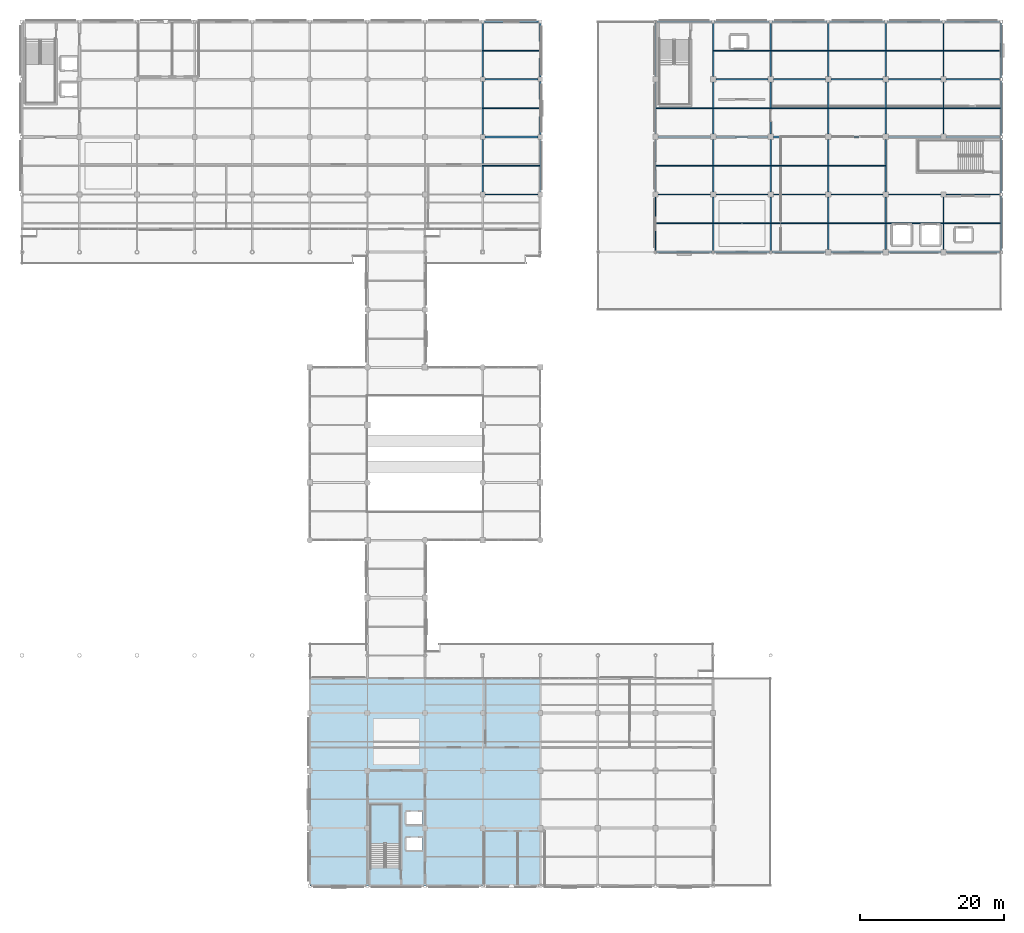
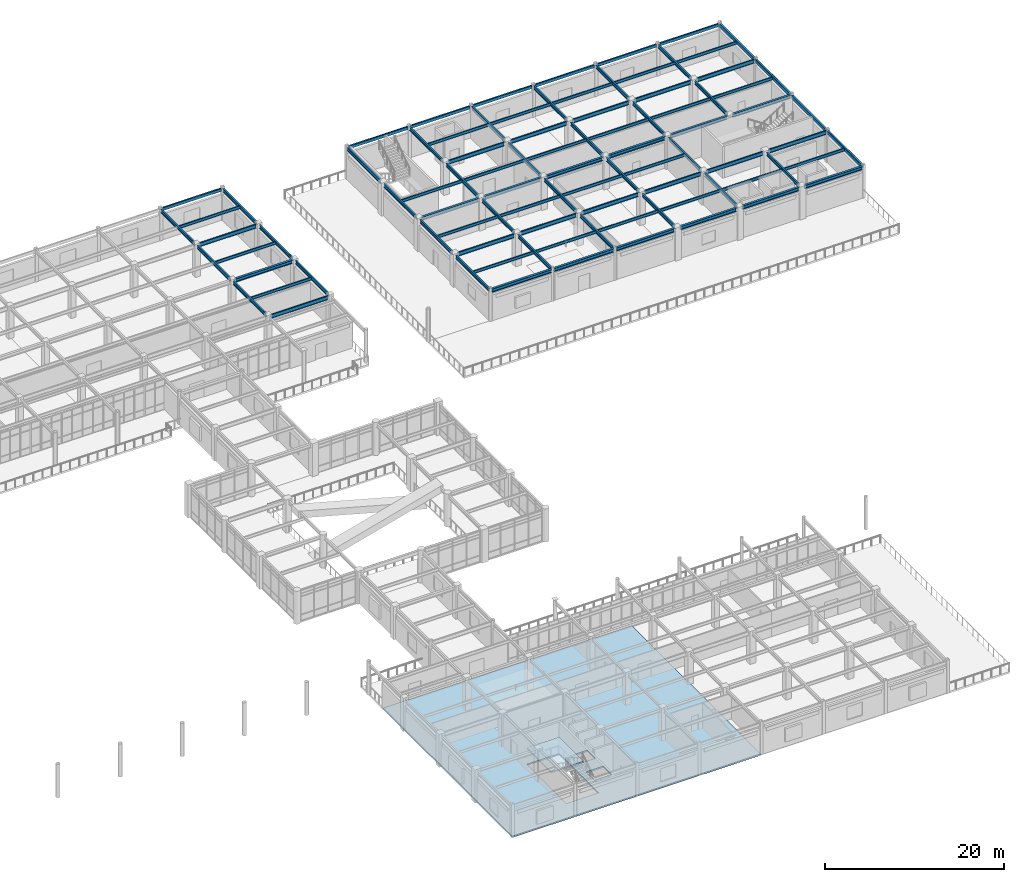
# One storey, part 47 of 75: 90 beams, 2 slabs, 1 element without a shape of its own.
"""IFC4 building model written with IfcOpenShell, lengths in metres."""

from ifc_helpers import new_model, si_unit, direction, frame, origin, origin_2d, place, context, subcontext, project, spatial, polyline, hollow_rectangle, i_section, outline, extrude, material, layer, layer_set, material_profile, profile_set, type_object, element, aggregate, save


model = new_model("IFC4")

# Units and contexts
model_context = context("Model", 3, precision=1e-05, world=origin(), true_north=direction((0.0, 1.0)))
body_context = subcontext(model_context, "Body", "Model", "MODEL_VIEW")
ifc_project = project(units=[si_unit("LENGTHUNIT", "METRE"), si_unit("AREAUNIT", "SQUARE_METRE"), si_unit("VOLUMEUNIT", "CUBIC_METRE"), si_unit("PLANEANGLEUNIT", "RADIAN"), si_unit("MASSUNIT", "GRAM", prefix="KILO")], contexts=[model_context])

# Site, building, storey
site_placement = place(None, origin())
site = spatial("IfcSite", under=ifc_project, at=site_placement, CompositionType="ELEMENT")
building_placement = place(site_placement, origin())
building = spatial("IfcBuilding", under=site, at=building_placement, Name="Solmirada Galleria", CompositionType="ELEMENT")
storey_placement = place(building_placement, frame((0.0, 0.0, 19.39990234375)))
storey = spatial("IfcBuildingStorey", under=building, at=storey_placement, Name="L04", CompositionType="ELEMENT", Elevation=19.39990234375)

# Beams
ifc_material_1 = material(Name="Steel S355 / ASTM A992 Grade 50", Category="steel")
ifc_material_profile_1 = material_profile(ifc_material_1, i_section(OverallWidth=0.281982421875, OverallDepth=0.467041015625, WebThickness=0.01220703125, FlangeThickness=0.01953125, FilletRadius=0.013916015625, at=origin_2d()), Name="W18X86")
ifc_profile_set_1 = profile_set([ifc_material_profile_1], Name="Steel S355 / ASTM A992 Grade 50")
beam_type_1 = type_object("IfcBeamType", Name="BM-GIRD-W18A", PredefinedType="BEAM", material=ifc_profile_set_1)
beam_1_placement = place(storey_placement, frame((104.324951171875, 104.0, 4.066650390625), z_axis=(1.0, 0.0, 0.0), x_axis=(0.0, 1.0, 0.0)))
element("IfcBeam", 1, at=beam_1_placement, inside=storey, type_object=beam_type_1, Name="Primary beam L05 X(104..112, 104)", PredefinedType="BEAM", context=body_context, shape_type="SweptSolid", body=[
    extrude(i_section(OverallWidth=0.281982421875, OverallDepth=0.467041015625, WebThickness=0.01220703125, FlangeThickness=0.01953125, FilletRadius=0.013916015625, at=origin_2d()), origin(), (0.0, 0.0, 1.0), 7.35009765625),
])
beam_2_placement = place(storey_placement, frame((128.17041015625, 88.0, 4.066650390625), z_axis=(1.0, 0.0, 0.0), x_axis=(0.0, 1.0, 0.0)))
element("IfcBeam", 2, at=beam_2_placement, inside=storey, type_object=beam_type_1, Name="Primary beam L05 X(128..136, 88)", PredefinedType="BEAM", context=body_context, shape_type="SweptSolid", body=[
    extrude(i_section(OverallWidth=0.281982421875, OverallDepth=0.467041015625, WebThickness=0.01220703125, FlangeThickness=0.01953125, FilletRadius=0.013916015625, at=origin_2d()), origin(), (0.0, 0.0, 1.0), 7.6591796875),
])
beam_3_placement = place(storey_placement, frame((128.375, 104.0, 4.066650390625), z_axis=(1.0, 0.0, 0.0), x_axis=(0.0, 1.0, 0.0)))
element("IfcBeam", 3, at=beam_3_placement, inside=storey, type_object=beam_type_1, Name="Primary beam L05 X(128..136, 104)", PredefinedType="BEAM", context=body_context, shape_type="SweptSolid", body=[
    extrude(i_section(OverallWidth=0.281982421875, OverallDepth=0.467041015625, WebThickness=0.01220703125, FlangeThickness=0.01953125, FilletRadius=0.013916015625, at=origin_2d()), origin(), (0.0, 0.0, 1.0), 7.25),
])
beam_4_placement = place(storey_placement, frame((136.17041015625, 88.0, 4.066650390625), z_axis=(1.0, 0.0, 0.0), x_axis=(0.0, 1.0, 0.0)))
element("IfcBeam", 4, at=beam_4_placement, inside=storey, type_object=beam_type_1, Name="Primary beam L05 X(136..144, 88)", PredefinedType="BEAM", context=body_context, shape_type="SweptSolid", body=[
    extrude(i_section(OverallWidth=0.281982421875, OverallDepth=0.467041015625, WebThickness=0.01220703125, FlangeThickness=0.01953125, FilletRadius=0.013916015625, at=origin_2d()), origin(), (0.0, 0.0, 1.0), 7.6591796875),
])
beam_5_placement = place(storey_placement, frame((136.375, 104.0, 4.066650390625), z_axis=(1.0, 0.0, 0.0), x_axis=(0.0, 1.0, 0.0)))
element("IfcBeam", 5, at=beam_5_placement, inside=storey, type_object=beam_type_1, Name="Primary beam L05 X(136..144, 104)", PredefinedType="BEAM", context=body_context, shape_type="SweptSolid", body=[
    extrude(i_section(OverallWidth=0.281982421875, OverallDepth=0.467041015625, WebThickness=0.01220703125, FlangeThickness=0.01953125, FilletRadius=0.013916015625, at=origin_2d()), origin(), (0.0, 0.0, 1.0), 7.25),
])
beam_6_placement = place(storey_placement, frame((144.17041015625, 88.0, 4.066650390625), z_axis=(1.0, 0.0, 0.0), x_axis=(0.0, 1.0, 0.0)))
element("IfcBeam", 6, at=beam_6_placement, inside=storey, type_object=beam_type_1, Name="Primary beam L05 X(144..152, 88)", PredefinedType="BEAM", context=body_context, shape_type="SweptSolid", body=[
    extrude(i_section(OverallWidth=0.281982421875, OverallDepth=0.467041015625, WebThickness=0.01220703125, FlangeThickness=0.01953125, FilletRadius=0.013916015625, at=origin_2d()), origin(), (0.0, 0.0, 1.0), 7.45458984375),
])
for number, where, z_axis, x_axis, name in (
    (7, (144.375, 104.0, 4.066650390625), (1.0, 0.0, 0.0), (0.0, 1.0, 0.0), "Primary beam L05 X(144..152, 104)"),
    (8, (152.375, 88.0, 4.066650390625), (1.0, 0.0, 0.0), (0.0, 1.0, 0.0), "Primary beam L05 X(152..160, 88)"),
    (9, (152.375, 104.0, 4.066650390625), (1.0, 0.0, 0.0), (0.0, 1.0, 0.0), "Primary beam L05 X(152..160, 104)"),
    (10, (160.375, 88.0, 4.066650390625), (1.0, 0.0, 0.0), (0.0, 1.0, 0.0), "Primary beam L05 X(160..168, 88)"),
    (11, (160.375, 104.0, 4.066650390625), (1.0, 0.0, 0.0), (0.0, 1.0, 0.0), "Primary beam L05 X(160..168, 104)"),
):
    element("IfcBeam", number, at=place(storey_placement, frame(where, z_axis=z_axis, x_axis=x_axis)), inside=storey, type_object=beam_type_1, Name=name, PredefinedType="BEAM", context=body_context, shape_type="SweptSolid", body=[
        extrude(i_section(OverallWidth=0.281982421875, OverallDepth=0.467041015625, WebThickness=0.01220703125, FlangeThickness=0.01953125, FilletRadius=0.013916015625, at=origin_2d()), origin(), (0.0, 0.0, 1.0), 7.25),
    ])
for number, where, z_axis, x_axis, name in (
    (12, (168.375, 88.0, 4.066650390625), (1.0, 0.0, 0.0), (0.0, 1.0, 0.0), "Primary beam L05 X(168..176, 88)"),
    (13, (168.375, 104.0, 4.066650390625), (1.0, 0.0, 0.0), (0.0, 1.0, 0.0), "Primary beam L05 X(168..176, 104)"),
):
    element("IfcBeam", number, at=place(storey_placement, frame(where, z_axis=z_axis, x_axis=x_axis)), inside=storey, type_object=beam_type_1, Name=name, PredefinedType="BEAM", context=body_context, shape_type="SweptSolid", body=[
        extrude(i_section(OverallWidth=0.281982421875, OverallDepth=0.467041015625, WebThickness=0.01220703125, FlangeThickness=0.01953125, FilletRadius=0.013916015625, at=origin_2d()), origin(), (0.0, 0.0, 1.0), 7.422119140625),
    ])
ifc_material_profile_2 = material_profile(ifc_material_1, i_section(OverallWidth=0.193115234375, OverallDepth=0.466064453125, WebThickness=0.011474609375, FlangeThickness=0.01904296875, FilletRadius=0.013916015625, at=origin_2d()), Name="W18X65")
ifc_profile_set_2 = profile_set([ifc_material_profile_2], Name="Steel S355 / ASTM A992 Grade 50")
beam_type_2 = type_object("IfcBeamType", Name="BM-GIRD-W18C", PredefinedType="BEAM", material=ifc_profile_set_2)
for number, where, z_axis, x_axis, name in (
    (14, (104.0, 96.324951171875, 4.067138671875), (0.0, 1.0, 0.0), (-1.0, 0.0, 0.0), "Primary girder L05 Y(104, 96..104)"),
    (15, (104.0, 104.324951171875, 4.067138671875), (0.0, 1.0, 0.0), (-1.0, 0.0, 0.0), "Primary girder L05 Y(104, 104..112)"),
):
    element("IfcBeam", number, at=place(storey_placement, frame(where, z_axis=z_axis, x_axis=x_axis)), inside=storey, type_object=beam_type_2, Name=name, PredefinedType="BEAM", context=body_context, shape_type="SweptSolid", body=[
        extrude(i_section(OverallWidth=0.193115234375, OverallDepth=0.466064453125, WebThickness=0.011474609375, FlangeThickness=0.01904296875, FilletRadius=0.013916015625, at=origin_2d()), origin(), (0.0, 0.0, 1.0), 7.35009765625),
    ])
beam_7_placement = place(storey_placement, frame((104.0, 112.324951171875, 4.067138671875), z_axis=(0.0, 1.0, 0.0), x_axis=(-1.0, 0.0, 0.0)))
element("IfcBeam", 16, at=beam_7_placement, inside=storey, type_object=beam_type_2, Name="Primary girder L05 Y(104, 112..120)", PredefinedType="BEAM", context=body_context, shape_type="SweptSolid", body=[
    extrude(i_section(OverallWidth=0.193115234375, OverallDepth=0.466064453125, WebThickness=0.011474609375, FlangeThickness=0.01904296875, FilletRadius=0.013916015625, at=origin_2d()), origin(), (0.0, 0.0, 1.0), 7.47216796875),
])
for number, where, z_axis, x_axis, name in (
    (17, (112.0, 96.324951171875, 4.067138671875), (0.0, 1.0, 0.0), (-1.0, 0.0, 0.0), "Primary girder L05 Y(112, 96..104)"),
    (18, (112.0, 104.324951171875, 4.067138671875), (0.0, 1.0, 0.0), (-1.0, 0.0, 0.0), "Primary girder L05 Y(112, 104..112)"),
):
    element("IfcBeam", number, at=place(storey_placement, frame(where, z_axis=z_axis, x_axis=x_axis)), inside=storey, type_object=beam_type_2, Name=name, PredefinedType="BEAM", context=body_context, shape_type="SweptSolid", body=[
        extrude(i_section(OverallWidth=0.193115234375, OverallDepth=0.466064453125, WebThickness=0.011474609375, FlangeThickness=0.01904296875, FilletRadius=0.013916015625, at=origin_2d()), origin(), (0.0, 0.0, 1.0), 7.35009765625),
    ])
beam_8_placement = place(storey_placement, frame((112.0, 112.324951171875, 4.067138671875), z_axis=(0.0, 1.0, 0.0), x_axis=(-1.0, 0.0, 0.0)))
element("IfcBeam", 19, at=beam_8_placement, inside=storey, type_object=beam_type_2, Name="Primary girder L05 Y(112, 112..120)", PredefinedType="BEAM", context=body_context, shape_type="SweptSolid", body=[
    extrude(i_section(OverallWidth=0.193115234375, OverallDepth=0.466064453125, WebThickness=0.011474609375, FlangeThickness=0.01904296875, FilletRadius=0.013916015625, at=origin_2d()), origin(), (0.0, 0.0, 1.0), 7.47216796875),
])
beam_9_placement = place(storey_placement, frame((128.0, 88.17041015625, 4.067138671875), z_axis=(0.0, 1.0, 0.0), x_axis=(-1.0, 0.0, 0.0)))
element("IfcBeam", 20, at=beam_9_placement, inside=storey, type_object=beam_type_2, Name="Primary girder L05 Y(128, 88..96)", PredefinedType="BEAM", context=body_context, shape_type="SweptSolid", body=[
    extrude(i_section(OverallWidth=0.193115234375, OverallDepth=0.466064453125, WebThickness=0.011474609375, FlangeThickness=0.01904296875, FilletRadius=0.013916015625, at=origin_2d()), origin(), (0.0, 0.0, 1.0), 7.45458984375),
])
for number, where, z_axis, x_axis, name in (
    (21, (128.0, 96.375, 4.067138671875), (0.0, 1.0, 0.0), (-1.0, 0.0, 0.0), "Primary girder L05 Y(128, 96..104)"),
    (22, (128.0, 104.375, 4.067138671875), (0.0, 1.0, 0.0), (-1.0, 0.0, 0.0), "Primary girder L05 Y(128, 104..112)"),
):
    element("IfcBeam", number, at=place(storey_placement, frame(where, z_axis=z_axis, x_axis=x_axis)), inside=storey, type_object=beam_type_2, Name=name, PredefinedType="BEAM", context=body_context, shape_type="SweptSolid", body=[
        extrude(i_section(OverallWidth=0.193115234375, OverallDepth=0.466064453125, WebThickness=0.011474609375, FlangeThickness=0.01904296875, FilletRadius=0.013916015625, at=origin_2d()), origin(), (0.0, 0.0, 1.0), 7.25),
    ])
beam_10_placement = place(storey_placement, frame((128.0, 112.375, 4.067138671875), z_axis=(0.0, 1.0, 0.0), x_axis=(-1.0, 0.0, 0.0)))
element("IfcBeam", 23, at=beam_10_placement, inside=storey, type_object=beam_type_2, Name="Primary girder L05 Y(128, 112..120)", PredefinedType="BEAM", context=body_context, shape_type="SweptSolid", body=[
    extrude(i_section(OverallWidth=0.193115234375, OverallDepth=0.466064453125, WebThickness=0.011474609375, FlangeThickness=0.01904296875, FilletRadius=0.013916015625, at=origin_2d()), origin(), (0.0, 0.0, 1.0), 7.422119140625),
])
beam_11_placement = place(storey_placement, frame((136.0, 88.17041015625, 4.067138671875), z_axis=(0.0, 1.0, 0.0), x_axis=(-1.0, 0.0, 0.0)))
element("IfcBeam", 24, at=beam_11_placement, inside=storey, type_object=beam_type_2, Name="Primary girder L05 Y(136, 88..96)", PredefinedType="BEAM", context=body_context, shape_type="SweptSolid", body=[
    extrude(i_section(OverallWidth=0.193115234375, OverallDepth=0.466064453125, WebThickness=0.011474609375, FlangeThickness=0.01904296875, FilletRadius=0.013916015625, at=origin_2d()), origin(), (0.0, 0.0, 1.0), 7.45458984375),
])
for number, where, z_axis, x_axis, name in (
    (25, (136.0, 96.375, 4.067138671875), (0.0, 1.0, 0.0), (-1.0, 0.0, 0.0), "Primary girder L05 Y(136, 96..104)"),
    (26, (136.0, 104.375, 4.067138671875), (0.0, 1.0, 0.0), (-1.0, 0.0, 0.0), "Primary girder L05 Y(136, 104..112)"),
):
    element("IfcBeam", number, at=place(storey_placement, frame(where, z_axis=z_axis, x_axis=x_axis)), inside=storey, type_object=beam_type_2, Name=name, PredefinedType="BEAM", context=body_context, shape_type="SweptSolid", body=[
        extrude(i_section(OverallWidth=0.193115234375, OverallDepth=0.466064453125, WebThickness=0.011474609375, FlangeThickness=0.01904296875, FilletRadius=0.013916015625, at=origin_2d()), origin(), (0.0, 0.0, 1.0), 7.25),
    ])
beam_12_placement = place(storey_placement, frame((136.0, 112.375, 4.067138671875), z_axis=(0.0, 1.0, 0.0), x_axis=(-1.0, 0.0, 0.0)))
element("IfcBeam", 27, at=beam_12_placement, inside=storey, type_object=beam_type_2, Name="Primary girder L05 Y(136, 112..120)", PredefinedType="BEAM", context=body_context, shape_type="SweptSolid", body=[
    extrude(i_section(OverallWidth=0.193115234375, OverallDepth=0.466064453125, WebThickness=0.011474609375, FlangeThickness=0.01904296875, FilletRadius=0.013916015625, at=origin_2d()), origin(), (0.0, 0.0, 1.0), 7.422119140625),
])
beam_13_placement = place(storey_placement, frame((144.0, 88.17041015625, 4.067138671875), z_axis=(0.0, 1.0, 0.0), x_axis=(-1.0, 0.0, 0.0)))
element("IfcBeam", 28, at=beam_13_placement, inside=storey, type_object=beam_type_2, Name="Primary girder L05 Y(144, 88..96)", PredefinedType="BEAM", context=body_context, shape_type="SweptSolid", body=[
    extrude(i_section(OverallWidth=0.193115234375, OverallDepth=0.466064453125, WebThickness=0.011474609375, FlangeThickness=0.01904296875, FilletRadius=0.013916015625, at=origin_2d()), origin(), (0.0, 0.0, 1.0), 7.45458984375),
])
for number, where, z_axis, x_axis, name in (
    (29, (144.0, 96.375, 4.067138671875), (0.0, 1.0, 0.0), (-1.0, 0.0, 0.0), "Primary girder L05 Y(144, 96..104)"),
    (30, (144.0, 104.375, 4.067138671875), (0.0, 1.0, 0.0), (-1.0, 0.0, 0.0), "Primary girder L05 Y(144, 104..112)"),
):
    element("IfcBeam", number, at=place(storey_placement, frame(where, z_axis=z_axis, x_axis=x_axis)), inside=storey, type_object=beam_type_2, Name=name, PredefinedType="BEAM", context=body_context, shape_type="SweptSolid", body=[
        extrude(i_section(OverallWidth=0.193115234375, OverallDepth=0.466064453125, WebThickness=0.011474609375, FlangeThickness=0.01904296875, FilletRadius=0.013916015625, at=origin_2d()), origin(), (0.0, 0.0, 1.0), 7.25),
    ])
beam_14_placement = place(storey_placement, frame((144.0, 112.375, 4.067138671875), z_axis=(0.0, 1.0, 0.0), x_axis=(-1.0, 0.0, 0.0)))
element("IfcBeam", 31, at=beam_14_placement, inside=storey, type_object=beam_type_2, Name="Primary girder L05 Y(144, 112..120)", PredefinedType="BEAM", context=body_context, shape_type="SweptSolid", body=[
    extrude(i_section(OverallWidth=0.193115234375, OverallDepth=0.466064453125, WebThickness=0.011474609375, FlangeThickness=0.01904296875, FilletRadius=0.013916015625, at=origin_2d()), origin(), (0.0, 0.0, 1.0), 7.422119140625),
])
for number, where, z_axis, x_axis, name in (
    (32, (152.0, 88.375, 4.067138671875), (0.0, 1.0, 0.0), (-1.0, 0.0, 0.0), "Primary girder L05 Y(152, 88..96)"),
    (33, (152.0, 96.375, 4.067138671875), (0.0, 1.0, 0.0), (-1.0, 0.0, 0.0), "Primary girder L05 Y(152, 96..104)"),
    (34, (152.0, 104.375, 4.067138671875), (0.0, 1.0, 0.0), (-1.0, 0.0, 0.0), "Primary girder L05 Y(152, 104..112)"),
):
    element("IfcBeam", number, at=place(storey_placement, frame(where, z_axis=z_axis, x_axis=x_axis)), inside=storey, type_object=beam_type_2, Name=name, PredefinedType="BEAM", context=body_context, shape_type="SweptSolid", body=[
        extrude(i_section(OverallWidth=0.193115234375, OverallDepth=0.466064453125, WebThickness=0.011474609375, FlangeThickness=0.01904296875, FilletRadius=0.013916015625, at=origin_2d()), origin(), (0.0, 0.0, 1.0), 7.25),
    ])
beam_15_placement = place(storey_placement, frame((152.0, 112.375, 4.067138671875), z_axis=(0.0, 1.0, 0.0), x_axis=(-1.0, 0.0, 0.0)))
element("IfcBeam", 35, at=beam_15_placement, inside=storey, type_object=beam_type_2, Name="Primary girder L05 Y(152, 112..120)", PredefinedType="BEAM", context=body_context, shape_type="SweptSolid", body=[
    extrude(i_section(OverallWidth=0.193115234375, OverallDepth=0.466064453125, WebThickness=0.011474609375, FlangeThickness=0.01904296875, FilletRadius=0.013916015625, at=origin_2d()), origin(), (0.0, 0.0, 1.0), 7.422119140625),
])
for number, where, z_axis, x_axis, name in (
    (36, (160.0, 88.375, 4.067138671875), (0.0, 1.0, 0.0), (-1.0, 0.0, 0.0), "Primary girder L05 Y(160, 88..96)"),
    (37, (160.0, 96.375, 4.067138671875), (0.0, 1.0, 0.0), (-1.0, 0.0, 0.0), "Primary girder L05 Y(160, 96..104)"),
    (38, (160.0, 104.375, 4.067138671875), (0.0, 1.0, 0.0), (-1.0, 0.0, 0.0), "Primary girder L05 Y(160, 104..112)"),
):
    element("IfcBeam", number, at=place(storey_placement, frame(where, z_axis=z_axis, x_axis=x_axis)), inside=storey, type_object=beam_type_2, Name=name, PredefinedType="BEAM", context=body_context, shape_type="SweptSolid", body=[
        extrude(i_section(OverallWidth=0.193115234375, OverallDepth=0.466064453125, WebThickness=0.011474609375, FlangeThickness=0.01904296875, FilletRadius=0.013916015625, at=origin_2d()), origin(), (0.0, 0.0, 1.0), 7.25),
    ])
beam_16_placement = place(storey_placement, frame((160.0, 112.375, 4.067138671875), z_axis=(0.0, 1.0, 0.0), x_axis=(-1.0, 0.0, 0.0)))
element("IfcBeam", 39, at=beam_16_placement, inside=storey, type_object=beam_type_2, Name="Primary girder L05 Y(160, 112..120)", PredefinedType="BEAM", context=body_context, shape_type="SweptSolid", body=[
    extrude(i_section(OverallWidth=0.193115234375, OverallDepth=0.466064453125, WebThickness=0.011474609375, FlangeThickness=0.01904296875, FilletRadius=0.013916015625, at=origin_2d()), origin(), (0.0, 0.0, 1.0), 7.422119140625),
])
for number, where, z_axis, x_axis, name in (
    (40, (168.0, 88.375, 4.067138671875), (0.0, 1.0, 0.0), (-1.0, 0.0, 0.0), "Primary girder L05 Y(168, 88..96)"),
    (41, (168.0, 104.375, 4.067138671875), (0.0, 1.0, 0.0), (-1.0, 0.0, 0.0), "Primary girder L05 Y(168, 104..112)"),
):
    element("IfcBeam", number, at=place(storey_placement, frame(where, z_axis=z_axis, x_axis=x_axis)), inside=storey, type_object=beam_type_2, Name=name, PredefinedType="BEAM", context=body_context, shape_type="SweptSolid", body=[
        extrude(i_section(OverallWidth=0.193115234375, OverallDepth=0.466064453125, WebThickness=0.011474609375, FlangeThickness=0.01904296875, FilletRadius=0.013916015625, at=origin_2d()), origin(), (0.0, 0.0, 1.0), 7.25),
    ])
beam_17_placement = place(storey_placement, frame((168.0, 112.375, 4.067138671875), z_axis=(0.0, 1.0, 0.0), x_axis=(-1.0, 0.0, 0.0)))
element("IfcBeam", 42, at=beam_17_placement, inside=storey, type_object=beam_type_2, Name="Primary girder L05 Y(168, 112..120)", PredefinedType="BEAM", context=body_context, shape_type="SweptSolid", body=[
    extrude(i_section(OverallWidth=0.193115234375, OverallDepth=0.466064453125, WebThickness=0.011474609375, FlangeThickness=0.01904296875, FilletRadius=0.013916015625, at=origin_2d()), origin(), (0.0, 0.0, 1.0), 7.422119140625),
])
ifc_material_profile_3 = material_profile(ifc_material_1, i_section(OverallWidth=0.1669921875, OverallDepth=0.534912109375, WebThickness=0.01025390625, FlangeThickness=0.0166015625, FilletRadius=0.013916015625, at=origin_2d()), Name="W21X57")
ifc_profile_set_3 = profile_set([ifc_material_profile_3], Name="Steel S355 / ASTM A992 Grade 50")
beam_type_3 = type_object("IfcBeamType", Name="BM-GIRD-W21C", PredefinedType="BEAM", material=ifc_profile_set_3)
for number, where, z_axis, x_axis, name in (
    (43, (104.324951171875, 96.0, 3.99267578125), (1.0, 0.0, 0.0), (0.0, 1.0, 0.0), "Primary beam L05 X(104..112, 96)"),
    (44, (104.324951171875, 112.0, 4.03271484375), (1.0, 0.0, 0.0), (0.0, 1.0, 0.0), "Primary beam L05 X(104..112, 112)"),
):
    element("IfcBeam", number, at=place(storey_placement, frame(where, z_axis=z_axis, x_axis=x_axis)), inside=storey, type_object=beam_type_3, Name=name, PredefinedType="BEAM", context=body_context, shape_type="SweptSolid", body=[
        extrude(i_section(OverallWidth=0.1669921875, OverallDepth=0.534912109375, WebThickness=0.01025390625, FlangeThickness=0.0166015625, FilletRadius=0.013916015625, at=origin_2d()), origin(), (0.0, 0.0, 1.0), 7.35009765625),
    ])
for number, where, z_axis, x_axis, name in (
    (45, (128.375, 96.0, 4.03271484375), (1.0, 0.0, 0.0), (0.0, 1.0, 0.0), "Primary beam L05 X(128..136, 96)"),
    (46, (136.375, 96.0, 4.03271484375), (1.0, 0.0, 0.0), (0.0, 1.0, 0.0), "Primary beam L05 X(136..144, 96)"),
    (47, (136.375, 112.0, 4.03271484375), (1.0, 0.0, 0.0), (0.0, 1.0, 0.0), "Primary beam L05 X(136..144, 112)"),
    (48, (144.375, 96.0, 4.03271484375), (1.0, 0.0, 0.0), (0.0, 1.0, 0.0), "Primary beam L05 X(144..152, 96)"),
    (49, (144.375, 112.0, 4.03271484375), (1.0, 0.0, 0.0), (0.0, 1.0, 0.0), "Primary beam L05 X(144..152, 112)"),
    (50, (152.375, 96.0, 4.03271484375), (1.0, 0.0, 0.0), (0.0, 1.0, 0.0), "Primary beam L05 X(152..160, 96)"),
    (51, (152.375, 112.0, 4.03271484375), (1.0, 0.0, 0.0), (0.0, 1.0, 0.0), "Primary beam L05 X(152..160, 112)"),
    (52, (160.375, 96.0, 4.03271484375), (1.0, 0.0, 0.0), (0.0, 1.0, 0.0), "Primary beam L05 X(160..168, 96)"),
    (53, (160.375, 112.0, 4.03271484375), (1.0, 0.0, 0.0), (0.0, 1.0, 0.0), "Primary beam L05 X(160..168, 112)"),
):
    element("IfcBeam", number, at=place(storey_placement, frame(where, z_axis=z_axis, x_axis=x_axis)), inside=storey, type_object=beam_type_3, Name=name, PredefinedType="BEAM", context=body_context, shape_type="SweptSolid", body=[
        extrude(i_section(OverallWidth=0.1669921875, OverallDepth=0.534912109375, WebThickness=0.01025390625, FlangeThickness=0.0166015625, FilletRadius=0.013916015625, at=origin_2d()), origin(), (0.0, 0.0, 1.0), 7.25),
    ])
for number, where, z_axis, x_axis, name in (
    (54, (168.375, 96.0, 4.03271484375), (1.0, 0.0, 0.0), (0.0, 1.0, 0.0), "Primary beam L05 X(168..176, 96)"),
    (55, (168.375, 112.0, 4.03271484375), (1.0, 0.0, 0.0), (0.0, 1.0, 0.0), "Primary beam L05 X(168..176, 112)"),
):
    element("IfcBeam", number, at=place(storey_placement, frame(where, z_axis=z_axis, x_axis=x_axis)), inside=storey, type_object=beam_type_3, Name=name, PredefinedType="BEAM", context=body_context, shape_type="SweptSolid", body=[
        extrude(i_section(OverallWidth=0.1669921875, OverallDepth=0.534912109375, WebThickness=0.01025390625, FlangeThickness=0.0166015625, FilletRadius=0.013916015625, at=origin_2d()), origin(), (0.0, 0.0, 1.0), 7.422119140625),
    ])
ifc_material_profile_4 = material_profile(ifc_material_1, i_section(OverallWidth=0.139892578125, OverallDepth=0.39892578125, WebThickness=0.00634765625, FlangeThickness=0.0087890625, FilletRadius=0.010986328125, at=origin_2d()), Name="W16X26")
ifc_profile_set_4 = profile_set([ifc_material_profile_4], Name="Steel S355 / ASTM A992 Grade 50")
beam_type_4 = type_object("IfcBeamType", Name="BM-JST-W16C", PredefinedType="JOIST", material=ifc_profile_set_4)
for number, where, z_axis, x_axis, name in (
    (56, (104.096435546875, 100.0, 4.1005859375), (1.0, 0.0, 0.0), (0.0, 1.0, 0.0), "Composite floor joist L05 (104..112, 100.0)"),
    (57, (104.096435546875, 108.0, 4.1005859375), (1.0, 0.0, 0.0), (0.0, 1.0, 0.0), "Composite floor joist L05 (104..112, 108.0)"),
    (58, (104.096435546875, 116.0, 4.1005859375), (1.0, 0.0, 0.0), (0.0, 1.0, 0.0), "Composite floor joist L05 (104..112, 116.0)"),
    (59, (128.096435546875, 92.0, 4.1005859375), (1.0, 0.0, 0.0), (0.0, 1.0, 0.0), "Composite floor joist L05 (128..136, 92.0)"),
    (60, (128.096435546875, 100.0, 4.1005859375), (1.0, 0.0, 0.0), (0.0, 1.0, 0.0), "Composite floor joist L05 (128..136, 100.0)"),
    (61, (128.096435546875, 108.0, 4.1005859375), (1.0, 0.0, 0.0), (0.0, 1.0, 0.0), "Composite floor joist L05 (128..136, 108.0)"),
    (62, (136.096435546875, 92.0, 4.1005859375), (1.0, 0.0, 0.0), (0.0, 1.0, 0.0), "Composite floor joist L05 (136..144, 92.0)"),
    (63, (136.096435546875, 100.0, 4.1005859375), (1.0, 0.0, 0.0), (0.0, 1.0, 0.0), "Composite floor joist L05 (136..144, 100.0)"),
    (64, (136.096435546875, 108.0, 4.1005859375), (1.0, 0.0, 0.0), (0.0, 1.0, 0.0), "Composite floor joist L05 (136..144, 108.0)"),
    (65, (136.096435546875, 116.0, 4.1005859375), (1.0, 0.0, 0.0), (0.0, 1.0, 0.0), "Composite floor joist L05 (136..144, 116.0)"),
    (66, (144.096435546875, 92.0, 4.1005859375), (1.0, 0.0, 0.0), (0.0, 1.0, 0.0), "Composite floor joist L05 (144..152, 92.0)"),
    (67, (144.096435546875, 100.0, 4.1005859375), (1.0, 0.0, 0.0), (0.0, 1.0, 0.0), "Composite floor joist L05 (144..152, 100.0)"),
    (68, (144.096435546875, 108.0, 4.1005859375), (1.0, 0.0, 0.0), (0.0, 1.0, 0.0), "Composite floor joist L05 (144..152, 108.0)"),
    (69, (144.096435546875, 116.0, 4.1005859375), (1.0, 0.0, 0.0), (0.0, 1.0, 0.0), "Composite floor joist L05 (144..152, 116.0)"),
    (70, (152.096435546875, 92.0, 4.1005859375), (1.0, 0.0, 0.0), (0.0, 1.0, 0.0), "Composite floor joist L05 (152..160, 92.0)"),
    (71, (152.096435546875, 100.0, 4.1005859375), (1.0, 0.0, 0.0), (0.0, 1.0, 0.0), "Composite floor joist L05 (152..160, 100.0)"),
    (72, (152.096435546875, 108.0, 4.1005859375), (1.0, 0.0, 0.0), (0.0, 1.0, 0.0), "Composite floor joist L05 (152..160, 108.0)"),
    (73, (152.096435546875, 116.0, 4.1005859375), (1.0, 0.0, 0.0), (0.0, 1.0, 0.0), "Composite floor joist L05 (152..160, 116.0)"),
    (74, (160.096435546875, 92.0, 4.1005859375), (1.0, 0.0, 0.0), (0.0, 1.0, 0.0), "Composite floor joist L05 (160..168, 92.0)"),
    (75, (160.096435546875, 108.0, 4.1005859375), (1.0, 0.0, 0.0), (0.0, 1.0, 0.0), "Composite floor joist L05 (160..168, 108.0)"),
    (76, (160.096435546875, 116.0, 4.1005859375), (1.0, 0.0, 0.0), (0.0, 1.0, 0.0), "Composite floor joist L05 (160..168, 116.0)"),
):
    element("IfcBeam", number, at=place(storey_placement, frame(where, z_axis=z_axis, x_axis=x_axis)), inside=storey, type_object=beam_type_4, Name=name, PredefinedType="JOIST", context=body_context, shape_type="SweptSolid", body=[
        extrude(i_section(OverallWidth=0.139892578125, OverallDepth=0.39892578125, WebThickness=0.00634765625, FlangeThickness=0.0087890625, FilletRadius=0.010986328125, at=origin_2d()), origin(), (0.0, 0.0, 1.0), 7.80712890625),
    ])
for number, where, z_axis, x_axis, name in (
    (77, (168.096435546875, 92.0, 4.1005859375), (1.0, 0.0, 0.0), (0.0, 1.0, 0.0), "Composite floor joist L05 (168..176, 92.0)"),
    (78, (168.096435546875, 108.0, 4.1005859375), (1.0, 0.0, 0.0), (0.0, 1.0, 0.0), "Composite floor joist L05 (168..176, 108.0)"),
    (79, (168.096435546875, 116.0, 4.1005859375), (1.0, 0.0, 0.0), (0.0, 1.0, 0.0), "Composite floor joist L05 (168..176, 116.0)"),
):
    element("IfcBeam", number, at=place(storey_placement, frame(where, z_axis=z_axis, x_axis=x_axis)), inside=storey, type_object=beam_type_4, Name=name, PredefinedType="JOIST", context=body_context, shape_type="SweptSolid", body=[
        extrude(i_section(OverallWidth=0.139892578125, OverallDepth=0.39892578125, WebThickness=0.00634765625, FlangeThickness=0.0087890625, FilletRadius=0.010986328125, at=origin_2d()), origin(), (0.0, 0.0, 1.0), 7.776611328125),
    ])
ifc_material_2 = material(Name="Steel S355 / ASTM A500 Grade C", Category="steel")
ifc_material_profile_5 = material_profile(ifc_material_2, hollow_rectangle(XDim=0.202880859375, YDim=0.406005859375, WallThickness=0.01171875, InnerFilletRadius=0.01171875, OuterFilletRadius=0.023681640625, at=origin_2d()), Name="HSS16X8X1/2")
ifc_profile_set_5 = profile_set([ifc_material_profile_5], Name="Steel S355 / ASTM A500 Grade C")
beam_type_5 = type_object("IfcBeamType", Name="BM-SPAND-W16A", PredefinedType="SPANDREL", material=ifc_profile_set_5)
for number, where, z_axis, x_axis, name in (
    (80, (104.202880859375, 120.0, 4.09716796875), (1.0, 0.0, 0.0), (0.0, 1.0, 0.0), "Primary beam L05 X(104..112, 120)"),
    (81, (128.202880859375, 120.0, 4.09716796875), (1.0, 0.0, 0.0), (0.0, 1.0, 0.0), "Primary beam L05 X(128..136, 120)"),
    (82, (136.202880859375, 120.0, 4.09716796875), (1.0, 0.0, 0.0), (0.0, 1.0, 0.0), "Primary beam L05 X(136..144, 120)"),
    (83, (144.202880859375, 120.0, 4.09716796875), (1.0, 0.0, 0.0), (0.0, 1.0, 0.0), "Primary beam L05 X(144..152, 120)"),
    (84, (152.202880859375, 120.0, 4.09716796875), (1.0, 0.0, 0.0), (0.0, 1.0, 0.0), "Primary beam L05 X(152..160, 120)"),
    (85, (160.202880859375, 120.0, 4.09716796875), (1.0, 0.0, 0.0), (0.0, 1.0, 0.0), "Primary beam L05 X(160..168, 120)"),
    (86, (168.202880859375, 120.0, 4.09716796875), (1.0, 0.0, 0.0), (0.0, 1.0, 0.0), "Primary beam L05 X(168..176, 120)"),
):
    element("IfcBeam", number, at=place(storey_placement, frame(where, z_axis=z_axis, x_axis=x_axis)), inside=storey, type_object=beam_type_5, Name=name, PredefinedType="SPANDREL", context=body_context, shape_type="SweptSolid", body=[
        extrude(hollow_rectangle(XDim=0.202880859375, YDim=0.406005859375, WallThickness=0.01171875, InnerFilletRadius=0.01171875, OuterFilletRadius=0.023681640625, at=origin_2d()), origin(), (0.0, 0.0, 1.0), 7.59423828125),
    ])
ifc_material_profile_6 = material_profile(ifc_material_2, hollow_rectangle(XDim=0.25390625, YDim=0.45703125, WallThickness=0.01171875, InnerFilletRadius=0.01171875, OuterFilletRadius=0.023681640625, at=origin_2d()), Name="HSS18X10X1/2")
ifc_profile_set_6 = profile_set([ifc_material_profile_6], Name="Steel S355 / ASTM A500 Grade C")
beam_type_6 = type_object("IfcBeamType", Name="BM-SPAND-W18", PredefinedType="SPANDREL", material=ifc_profile_set_6)
for number, where, z_axis, x_axis, name in (
    (87, (176.0, 88.202880859375, 4.071533203125), (0.0, 1.0, 0.0), (-1.0, 0.0, 0.0), "Primary girder L05 Y(176, 88..96)"),
    (88, (176.0, 96.202880859375, 4.071533203125), (0.0, 1.0, 0.0), (-1.0, 0.0, 0.0), "Primary girder L05 Y(176, 96..104)"),
    (89, (176.0, 104.202880859375, 4.071533203125), (0.0, 1.0, 0.0), (-1.0, 0.0, 0.0), "Primary girder L05 Y(176, 104..112)"),
    (90, (176.0, 112.202880859375, 4.071533203125), (0.0, 1.0, 0.0), (-1.0, 0.0, 0.0), "Primary girder L05 Y(176, 112..120)"),
):
    element("IfcBeam", number, at=place(storey_placement, frame(where, z_axis=z_axis, x_axis=x_axis)), inside=storey, type_object=beam_type_6, Name=name, PredefinedType="SPANDREL", context=body_context, shape_type="SweptSolid", body=[
        extrude(hollow_rectangle(XDim=0.25390625, YDim=0.45703125, WallThickness=0.01171875, InnerFilletRadius=0.01171875, OuterFilletRadius=0.023681640625, at=origin_2d()), origin(), (0.0, 0.0, 1.0), 7.59423828125),
    ])

# Slab
ifc_material_3 = material(Name="Concrete C35/45", Category="concrete")
ifc_layer_1 = layer(ifc_material_3, 0.199951171875)
ifc_layer_set_1 = layer_set([ifc_layer_1], Name="Concrete C35/45")
slab_type_1 = type_object("IfcSlabType", Name="SLB-FLOOR-200", PredefinedType="FLOOR", material=ifc_layer_set_1)
slab_1_placement = place(storey_placement, frame((0.0, 0.0, -0.199951171875)))
element("IfcSlab", 91, at=slab_1_placement, inside=storey, type_object=slab_type_1, Name="Slab L04-SOUTH-W", PredefinedType="FLOOR", context=body_context, shape_type="SweptSolid", body=[
    extrude(outline(polyline([(80.0, 0.0), (112.0, 0.0), (112.0, 28.800048828125), (80.0, 28.800048828125), (80.0, 0.0)]), holes=[polyline([(88.39990234375, 2.5), (92.550048828125, 2.5), (92.550048828125, 11.300048828125), (88.39990234375, 11.300048828125), (88.39990234375, 2.5)]), polyline([(93.375, 4.89990234375), (95.625, 4.89990234375), (95.625, 6.699951171875), (93.375, 6.699951171875), (93.375, 4.89990234375)]), polyline([(93.375, 8.5), (95.625, 8.5), (95.625, 10.300048828125), (93.375, 10.300048828125), (93.375, 8.5)])]), origin(), (0.0, 0.0, 1.0), 0.199951171875),
])

# Stair, slab
stair_type = type_object("IfcStairType", Name="STR-DOG-200-H45", PredefinedType="HALF_TURN_STAIR", material=ifc_material_3)
stair_placement = place(storey_placement, origin())
stair = element("IfcStair", 92, at=stair_placement, inside=storey, type_object=stair_type, Name="L04 South Sales Core Exit Stair ST2", PredefinedType="HALF_TURN_STAIR")
ifc_layer_2 = layer(ifc_material_3, 0.199951171875)
ifc_layer_set_2 = layer_set([ifc_layer_2], Name="Concrete C35/45")
slab_type_2 = type_object("IfcSlabType", Name="SLB-LAND-200", PredefinedType="LANDING", material=ifc_layer_set_2)
slab_2_placement = place(storey_placement, frame((0.0, 0.0, 2.050048828125)))
slab_2 = element("IfcSlab", 93, at=slab_2_placement, type_object=slab_type_2, Name="ST2 landing 1", PredefinedType="LANDING", context=body_context, shape_type="SweptSolid", body=[
    extrude(outline(polyline([(92.550048828125, 5.860107421875), (92.550048828125, 11.300048828125), (88.39990234375, 11.300048828125), (88.39990234375, 5.860107421875), (92.550048828125, 5.860107421875)])), origin(), (0.0, 0.0, 1.0), 0.199951171875),
])
aggregate(stair, [slab_2])

save(model, "model.ifc")
